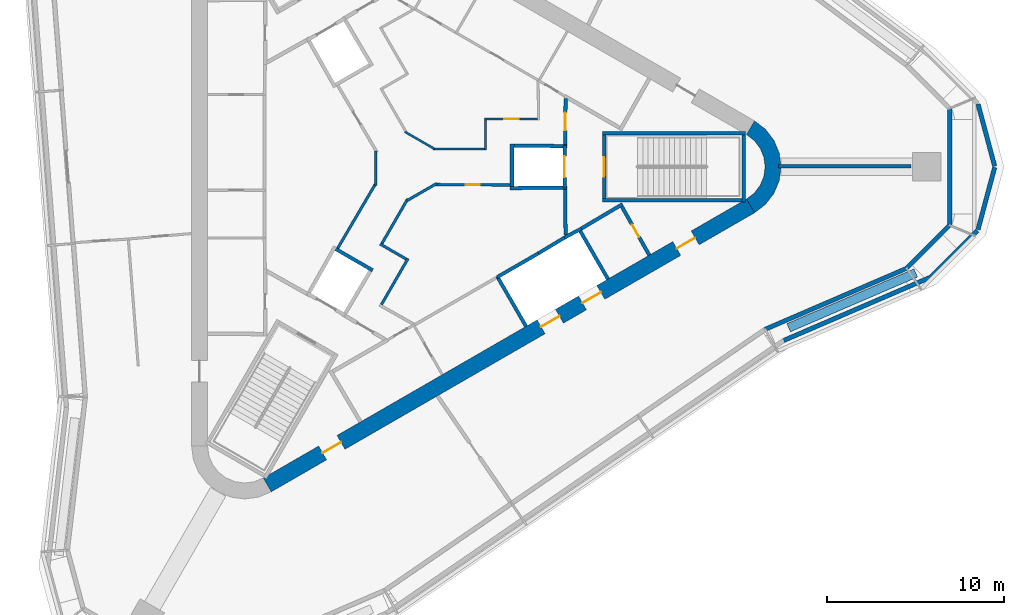
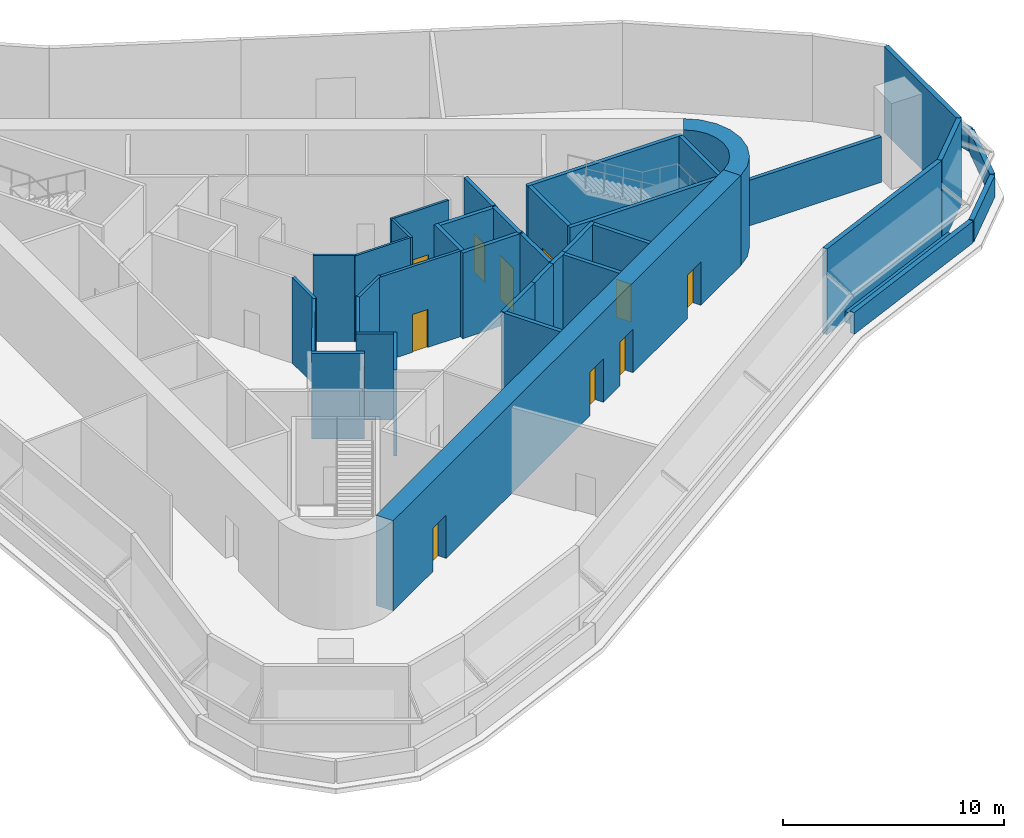
# One storey, part 5 of 8: 40 walls, 10 doors, 10 openings.
"""IFC4 building model written with IfcOpenShell, lengths in metres."""

from ifc_helpers import new_model, si_unit, direction, frame, frame_2d, origin, place, context, subcontext, project, spatial, polyline, rectangle, outline, extrude, material, layer, layer_set, type_object, element, fill, save


model = new_model("IFC4")

# Units and contexts
model_context = context("Model", 3, precision=1e-05, world=origin(), true_north=direction((0.0, 1.0)))
body_context = subcontext(model_context, "Body", "Model", "MODEL_VIEW")
ifc_project = project(units=[si_unit("LENGTHUNIT", "METRE"), si_unit("AREAUNIT", "SQUARE_METRE"), si_unit("VOLUMEUNIT", "CUBIC_METRE"), si_unit("PLANEANGLEUNIT", "RADIAN"), si_unit("MASSUNIT", "GRAM", prefix="KILO")], contexts=[model_context])

# Site, building, storey
site_placement = place(None, origin())
site = spatial("IfcSite", under=ifc_project, at=site_placement, CompositionType="ELEMENT")
building_placement = place(site_placement, origin())
building = spatial("IfcBuilding", under=site, at=building_placement, Name="Tanit Gate Tower", CompositionType="ELEMENT")
storey_placement = place(building_placement, frame((0.0, 0.0, 410.300048828125)))
storey = spatial("IfcBuildingStorey", under=building, at=storey_placement, Name="L93", CompositionType="ELEMENT", Elevation=410.300048828125)

# Wall, openings, doors
ifc_material_1 = material(Name="Concrete C40/50", Category="concrete")
ifc_layer_1 = layer(ifc_material_1, 0.89990234375)
ifc_layer_set_1 = layer_set([ifc_layer_1], Name="CORE WALL 900 C40/50")
wall_type_1 = type_object("IfcWallType", Name="CORE WALL 900 C40/50", PredefinedType="SHEAR", material=ifc_layer_set_1)
wall_1_placement = place(storey_placement, frame((-7.824951171875, -17.969970703125, 0.0), z_axis=(0.0, 0.0, 1.0), x_axis=(0.866028369851, 0.499994862586, 0.0)))
wall_1 = element("IfcWall", 1, at=wall_1_placement, inside=storey, type_object=wall_type_1, Name="CORE WALL", PredefinedType="SHEAR", context=body_context, shape_type="SweptSolid", body=[
    extrude(rectangle(XDim=31.523193359375, YDim=0.89990234375, at=frame_2d((15.76171875, 0.0))), origin(), (0.0, 0.0, 1.0), 5.0),
])
opening_1_placement = place(wall_1_placement, frame((17.861572265625, 0.0, 0.0)))
opening_1 = element("IfcOpeningElement", 2, at=opening_1_placement, cuts=wall_1, Name="Opening LDSV1-93", PredefinedType="OPENING", context=body_context, shape_type="SweptSolid", body=[
    extrude(rectangle(XDim=1.199951171875, YDim=2.39990234375, at=frame_2d((0.60009765625, 1.199951171875))), frame((0.0, 0.4599609375, 0.0), z_axis=(0.0, -1.0, 0.0), x_axis=(1.0, 0.0, 0.0)), (0.0, 0.0, 1.0), 0.919921875),
])
opening_2_placement = place(wall_1_placement, frame((20.561767578125, 0.0, 0.0)))
opening_2 = element("IfcOpeningElement", 3, at=opening_2_placement, cuts=wall_1, Name="Opening LDSV2-93", PredefinedType="OPENING", context=body_context, shape_type="SweptSolid", body=[
    extrude(rectangle(XDim=1.199951171875, YDim=2.39990234375, at=frame_2d((0.60009765625, 1.199951171875))), frame((0.0, 0.4599609375, 0.0), z_axis=(0.0, -1.0, 0.0), x_axis=(1.0, 0.0, 0.0)), (0.0, 0.0, 1.0), 0.919921875),
])
opening_3_placement = place(wall_1_placement, frame((26.711669921875, 0.0, 0.0)))
opening_3 = element("IfcOpeningElement", 4, at=opening_3_placement, cuts=wall_1, Name="Opening F12-93-S1", PredefinedType="OPENING", context=body_context, shape_type="SweptSolid", body=[
    extrude(rectangle(XDim=1.199951171875, YDim=2.39990234375, at=frame_2d((0.60009765625, 1.199951171875))), frame((0.0, 0.4599609375, 0.0), z_axis=(0.0, -1.0, 0.0), x_axis=(1.0, 0.0, 0.0)), (0.0, 0.0, 1.0), 0.919921875),
])
opening_4_placement = place(wall_1_placement, frame((3.611572265625, 0.0, 0.0)))
opening_4 = element("IfcOpeningElement", 5, at=opening_4_placement, cuts=wall_1, Name="Opening F12-93-FL3", PredefinedType="OPENING", context=body_context, shape_type="SweptSolid", body=[
    extrude(rectangle(XDim=1.199951171875, YDim=2.39990234375, at=frame_2d((0.60009765625, 1.199951171875))), frame((0.0, 0.4599609375, 0.0), z_axis=(0.0, -1.0, 0.0), x_axis=(1.0, 0.0, 0.0)), (0.0, 0.0, 1.0), 0.919921875),
])
ifc_material_2 = material(Name="Fire-rated steel door leaf", Category="steel")
door_type_1 = type_object("IfcDoorType", Name="INT-DOOR-FIRE-LOBBY-1200", OperationType="NOTDEFINED", PredefinedType="USERDEFINED", material=ifc_material_2)
door_1_placement = place(opening_3_placement, origin())
door_1 = element("IfcDoor", 6, at=door_1_placement, inside=storey, type_object=door_type_1, Name="Door F12-93-S1", ObjectType="FIRE DOOR", OperationType="SINGLE_SWING_RIGHT", OverallHeight=2.39990234375, OverallWidth=1.199951171875, PredefinedType="USERDEFINED", context=body_context, shape_type="SweptSolid", body=[
    extrude(rectangle(XDim=1.199951171875, YDim=2.39990234375, at=frame_2d((0.60009765625, 1.199951171875))), frame((0.0, 0.02490234375, 0.0), z_axis=(0.0, -1.0, 0.0), x_axis=(1.0, 0.0, 0.0)), (0.0, 0.0, 1.0), 0.050048828125),
])
fill(opening_3, door_1)
door_2_placement = place(opening_4_placement, origin())
door_2 = element("IfcDoor", 7, at=door_2_placement, inside=storey, type_object=door_type_1, Name="Door F12-93-FL3", ObjectType="FIRE DOOR", OperationType="SINGLE_SWING_RIGHT", OverallHeight=2.39990234375, OverallWidth=1.199951171875, PredefinedType="USERDEFINED", context=body_context, shape_type="SweptSolid", body=[
    extrude(rectangle(XDim=1.199951171875, YDim=2.39990234375, at=frame_2d((0.60009765625, 1.199951171875))), frame((0.0, 0.02490234375, 0.0), z_axis=(0.0, -1.0, 0.0), x_axis=(1.0, 0.0, 0.0)), (0.0, 0.0, 1.0), 0.050048828125),
])
fill(opening_4, door_2)
ifc_material_3 = material(Name="Stainless steel sliding door leaf", Category="steel")
door_type_2 = type_object("IfcDoorType", Name="INT-DOOR-LANDING-1200", OperationType="NOTDEFINED", PredefinedType="USERDEFINED", material=ifc_material_3)
door_3_placement = place(opening_1_placement, origin())
door_3 = element("IfcDoor", 8, at=door_3_placement, inside=storey, type_object=door_type_2, Name="Door LDSV1-93", ObjectType="LANDING DOOR", OperationType="SLIDING_TO_LEFT", OverallHeight=2.39990234375, OverallWidth=1.199951171875, PredefinedType="USERDEFINED", context=body_context, shape_type="SweptSolid", body=[
    extrude(rectangle(XDim=1.199951171875, YDim=2.39990234375, at=frame_2d((0.60009765625, 1.199951171875))), frame((0.0, 0.02490234375, 0.0), z_axis=(0.0, -1.0, 0.0), x_axis=(1.0, 0.0, 0.0)), (0.0, 0.0, 1.0), 0.050048828125),
])
fill(opening_1, door_3)
door_4_placement = place(opening_2_placement, origin())
door_4 = element("IfcDoor", 9, at=door_4_placement, inside=storey, type_object=door_type_2, Name="Door LDSV2-93", ObjectType="LANDING DOOR", OperationType="SLIDING_TO_LEFT", OverallHeight=2.39990234375, OverallWidth=1.199951171875, PredefinedType="USERDEFINED", context=body_context, shape_type="SweptSolid", body=[
    extrude(rectangle(XDim=1.199951171875, YDim=2.39990234375, at=frame_2d((0.60009765625, 1.199951171875))), frame((0.0, 0.02490234375, 0.0), z_axis=(0.0, -1.0, 0.0), x_axis=(1.0, 0.0, 0.0)), (0.0, 0.0, 1.0), 0.050048828125),
])
fill(opening_2, door_4)

# Walls
wall_2_placement = place(storey_placement, origin())
element("IfcWall", 10, at=wall_2_placement, inside=storey, type_object=wall_type_1, Name="CORE WALL CORNER", PredefinedType="SHEAR", context=body_context, shape_type="SweptSolid", body=[
    extrude(outline(polyline([(19.699951171875, -2.59814453125), (20.3212890625, -2.121337890625), (20.798095703125, -1.5), (21.097900390625, -0.776611328125), (21.199951171875, 0.0), (21.097900390625, 0.776611328125), (20.798095703125, 1.5), (20.3212890625, 2.121337890625), (19.699951171875, 2.59814453125), (19.25, 1.818603515625), (19.684814453125, 1.48486328125), (20.018798828125, 1.050048828125), (20.228515625, 0.54345703125), (20.300048828125, 0.0), (20.228515625, -0.54345703125), (20.018798828125, -1.050048828125), (19.684814453125, -1.48486328125), (19.25, -1.818603515625), (19.699951171875, -2.59814453125)])), origin(), (0.0, 0.0, 1.0), 5.0),
])
ifc_material_4 = material(Name="Concrete C30/37 with bronze anodised aluminium cladding", Category="concrete")
ifc_layer_2 = layer(ifc_material_4, 0.239990234375)
ifc_layer_set_2 = layer_set([ifc_layer_2], Name="Facade wall bronze clad 240")
wall_type_2 = type_object("IfcWallType", Name="Facade wall bronze clad 240", PredefinedType="SOLIDWALL", material=ifc_layer_set_2)
wall_3_placement = place(storey_placement, frame((20.303466796875, -9.1767578125, 0.0), z_axis=(0.0, 0.0, 1.0), x_axis=(0.918310734182, 0.395860323203, 0.0)))
element("IfcWall", 11, at=wall_3_placement, inside=storey, type_object=wall_type_2, Name="Bronze-clad facade wall L93 SE3", PredefinedType="SOLIDWALL", context=body_context, shape_type="SweptSolid", body=[
    extrude(rectangle(XDim=8.70947265625, YDim=0.239990234375, at=frame_2d((4.354736328125, 0.0))), origin(), (0.0, 0.0, 1.0), 4.75),
])
wall_4_placement = place(storey_placement, frame((28.301513671875, -5.72900390625, 0.0), z_axis=(0.0, 0.0, 1.0), x_axis=(0.707071188265, 0.707142372317, 0.0)))
element("IfcWall", 12, at=wall_4_placement, inside=storey, type_object=wall_type_2, Name="Bronze-clad facade wall L93 E.arc1", PredefinedType="SOLIDWALL", context=body_context, shape_type="SweptSolid", body=[
    extrude(rectangle(XDim=3.4296875, YDim=0.239990234375, at=frame_2d((1.71484375, 0.0))), origin(), (0.0, 0.0, 1.0), 4.75),
])
wall_5_placement = place(storey_placement, frame((30.7265625, -3.3037109375, 0.0), z_axis=(0.0, 0.0, 1.0), x_axis=(0.0, 1.0, 0.0)))
element("IfcWall", 13, at=wall_5_placement, inside=storey, type_object=wall_type_2, Name="Bronze-clad facade wall L93 E.arc2", PredefinedType="SOLIDWALL", context=body_context, shape_type="SweptSolid", body=[
    extrude(rectangle(XDim=6.607421875, YDim=0.239990234375, at=frame_2d((3.3037109375, 0.0))), origin(), (0.0, 0.0, 1.0), 4.75),
])
ifc_material_5 = material(Name="Fire-rated gypsum board partition")
ifc_layer_3 = layer(ifc_material_5, 0.199951171875)
ifc_layer_set_3 = layer_set([ifc_layer_3], Name="INT-WALL-COMPARTMENT")
wall_type_3 = type_object("IfcWallType", Name="INT-WALL-COMPARTMENT", PredefinedType="PARTITIONING", material=ifc_layer_set_3)
wall_6_placement = place(storey_placement, frame((12.244873046875, -2.10888671875, 0.0), z_axis=(0.0, 0.0, 1.0), x_axis=(-0.860414880418, -0.509594185166, 0.0)))
element("IfcWall", 14, at=wall_6_placement, inside=storey, type_object=wall_type_3, Name="Wall Compartment W060", PredefinedType="PARTITIONING", context=body_context, shape_type="SweptSolid", body=[
    extrude(rectangle(XDim=2.7001953125, YDim=0.199951171875, at=frame_2d((1.35009765625, 0.0))), origin(), (0.0, 0.0, 1.0), 4.75),
])

# Wall, opening, door
wall_7_placement = place(storey_placement, frame((13.758056640625, -4.989501953125, 0.0), z_axis=(0.0, 0.0, 1.0), x_axis=(-0.491993409184, 0.87059892334, 0.0)))
wall_7 = element("IfcWall", 15, at=wall_7_placement, inside=storey, type_object=wall_type_3, Name="Wall Compartment W061", PredefinedType="PARTITIONING", context=body_context, shape_type="SweptSolid", body=[
    extrude(rectangle(XDim=3.150146484375, YDim=0.199951171875, at=frame_2d((1.5751953125, 0.0))), origin(), (0.0, 0.0, 1.0), 4.75),
])
opening_5_placement = place(wall_7_placement, frame((1.175048828125, 0.0, 0.0)))
opening_5 = element("IfcOpeningElement", 16, at=opening_5_placement, cuts=wall_7, Name="Opening R08-93-23", PredefinedType="OPENING", context=body_context, shape_type="SweptSolid", body=[
    extrude(rectangle(XDim=0.800048828125, YDim=2.10009765625, at=frame_2d((0.39990234375, 1.050048828125))), frame((0.0, 0.10986328125, 0.0), z_axis=(0.0, -1.0, 0.0), x_axis=(1.0, 0.0, 0.0)), (0.0, 0.0, 1.0), 0.219970703125),
])
ifc_material_6 = material(Name="Timber door leaf", Category="wood")
door_type_3 = type_object("IfcDoorType", Name="INT-DOOR-RISER-800", OperationType="NOTDEFINED", PredefinedType="USERDEFINED", material=ifc_material_6)
door_5_placement = place(opening_5_placement, origin())
door_5 = element("IfcDoor", 17, at=door_5_placement, inside=storey, type_object=door_type_3, Name="Door R08-93-23", ObjectType="FIRE DOOR", OperationType="SINGLE_SWING_RIGHT", OverallHeight=2.10009765625, OverallWidth=0.800048828125, PredefinedType="USERDEFINED", context=body_context, shape_type="SweptSolid", body=[
    extrude(rectangle(XDim=0.800048828125, YDim=2.10009765625, at=frame_2d((0.39990234375, 1.050048828125))), frame((0.0, 0.02490234375, 0.0), z_axis=(0.0, -1.0, 0.0), x_axis=(1.0, 0.0, 0.0)), (0.0, 0.0, 1.0), 0.050048828125),
])
fill(opening_5, door_5)

# Wall
wall_8_placement = place(storey_placement, frame((9.02880859375, -3.8505859375, 0.0), z_axis=(0.0, 0.0, 1.0), x_axis=(-0.010784614026, 0.999941844359, 0.0)))
element("IfcWall", 18, at=wall_8_placement, inside=storey, type_object=wall_type_3, Name="Wall Compartment W062", PredefinedType="PARTITIONING", context=body_context, shape_type="SweptSolid", body=[
    extrude(rectangle(XDim=2.580810546875, YDim=0.199951171875, at=frame_2d((1.29052734375, 0.0))), origin(), (0.0, 0.0, 1.0), 4.75),
])

# Wall, opening, door
wall_9_placement = place(storey_placement, frame((9.0009765625, 1.27001953125, 0.0), z_axis=(0.0, 0.0, 1.0), x_axis=(0.010780534828, 0.999941888346, 0.0)))
wall_9 = element("IfcWall", 19, at=wall_9_placement, inside=storey, type_object=wall_type_3, Name="Wall Compartment W063", PredefinedType="PARTITIONING", context=body_context, shape_type="SweptSolid", body=[
    extrude(rectangle(XDim=2.581787109375, YDim=0.199951171875, at=frame_2d((1.291015625, 0.0))), origin(), (0.0, 0.0, 1.0), 4.75),
])
opening_6_placement = place(wall_9_placement, frame((0.791015625, 0.0, 0.0)))
opening_6 = element("IfcOpeningElement", 20, at=opening_6_placement, cuts=wall_9, Name="Opening F10-93-02", PredefinedType="OPENING", context=body_context, shape_type="SweptSolid", body=[
    extrude(rectangle(XDim=1.0, YDim=2.10009765625, at=frame_2d((0.5, 1.050048828125))), frame((0.0, 0.10986328125, 0.0), z_axis=(0.0, -1.0, 0.0), x_axis=(1.0, 0.0, 0.0)), (0.0, 0.0, 1.0), 0.219970703125),
])
ifc_material_7 = material(Name="Fire-rated steel door leaf", Category="steel")
door_type_4 = type_object("IfcDoorType", Name="INT-DOOR-FIRE-1000", OperationType="NOTDEFINED", PredefinedType="USERDEFINED", material=ifc_material_7)
door_6_placement = place(opening_6_placement, origin())
door_6 = element("IfcDoor", 21, at=door_6_placement, inside=storey, type_object=door_type_4, Name="Door F10-93-02", ObjectType="FIRE DOOR", OperationType="SINGLE_SWING_RIGHT", OverallHeight=2.10009765625, OverallWidth=1.0, PredefinedType="USERDEFINED", context=body_context, shape_type="SweptSolid", body=[
    extrude(rectangle(XDim=1.0, YDim=2.10009765625, at=frame_2d((0.5, 1.050048828125))), frame((0.0, 0.02490234375, 0.0), z_axis=(0.0, -1.0, 0.0), x_axis=(1.0, 0.0, 0.0)), (0.0, 0.0, 1.0), 0.050048828125),
])
fill(opening_6, door_6)

# Wall
wall_10_placement = place(storey_placement, frame((28.5361328125, 0.030029296875, 0.0), z_axis=(0.0, 0.0, 1.0), x_axis=(-1.0, 0.0, 0.0)))
element("IfcWall", 22, at=wall_10_placement, inside=storey, type_object=wall_type_3, Name="Wall Compartment W092", PredefinedType="PARTITIONING", context=body_context, shape_type="SweptSolid", body=[
    extrude(rectangle(XDim=7.489990234375, YDim=0.199951171875, at=frame_2d((3.7451171875, 0.0))), origin(), (0.0, 0.0, 1.0), 2.52001953125),
])

# Wall, opening, door
ifc_material_8 = material(Name="Gypsum board partition")
ifc_layer_4 = layer(ifc_material_8, 0.1201171875)
ifc_layer_set_4 = layer_set([ifc_layer_4], Name="INT-WALL-PARTITION")
wall_type_4 = type_object("IfcWallType", Name="INT-WALL-PARTITION", PredefinedType="PARTITIONING", material=ifc_layer_set_4)
wall_11_placement = place(storey_placement, frame((4.43994140625, 2.699951171875, 0.0), z_axis=(0.0, 0.0, 1.0), x_axis=(1.0, 0.0, 0.0)))
wall_11 = element("IfcWall", 23, at=wall_11_placement, inside=storey, type_object=wall_type_4, Name="Wall Partition W078", PredefinedType="PARTITIONING", context=body_context, shape_type="SweptSolid", body=[
    extrude(rectangle(XDim=3.0, YDim=0.1201171875, at=frame_2d((1.5, 0.0))), origin(), (0.0, 0.0, 1.0), 4.75),
])
opening_7_placement = place(wall_11_placement, frame((1.1298828125, 0.0, 0.0)))
opening_7 = element("IfcOpeningElement", 24, at=opening_7_placement, cuts=wall_11, Name="Opening R08-93-12", PredefinedType="OPENING", context=body_context, shape_type="SweptSolid", body=[
    extrude(rectangle(XDim=0.800048828125, YDim=2.10009765625, at=frame_2d((0.39990234375, 1.050048828125))), frame((0.0, 0.070068359375, 0.0), z_axis=(0.0, -1.0, 0.0), x_axis=(1.0, 0.0, 0.0)), (0.0, 0.0, 1.0), 0.14013671875),
])
door_7_placement = place(opening_7_placement, origin())
door_7 = element("IfcDoor", 25, at=door_7_placement, inside=storey, type_object=door_type_3, Name="Door R08-93-12", ObjectType="FIRE DOOR", OperationType="SINGLE_SWING_RIGHT", OverallHeight=2.10009765625, OverallWidth=0.800048828125, PredefinedType="USERDEFINED", context=body_context, shape_type="SweptSolid", body=[
    extrude(rectangle(XDim=0.800048828125, YDim=2.10009765625, at=frame_2d((0.39990234375, 1.050048828125))), frame((0.0, 0.02490234375, 0.0), z_axis=(0.0, -1.0, 0.0), x_axis=(1.0, 0.0, 0.0)), (0.0, 0.0, 1.0), 0.050048828125),
])
fill(opening_7, door_7)

# Walls
wall_12_placement = place(storey_placement, frame((4.5, 0.93994140625, 0.0), z_axis=(0.0, 0.0, 1.0), x_axis=(0.0, 1.0, 0.0)))
element("IfcWall", 26, at=wall_12_placement, inside=storey, type_object=wall_type_4, Name="Wall Partition W079", PredefinedType="PARTITIONING", context=body_context, shape_type="SweptSolid", body=[
    extrude(rectangle(XDim=1.699951171875, YDim=0.1201171875, at=frame_2d((0.85009765625, 0.0))), origin(), (0.0, 0.0, 1.0), 4.75),
])
wall_13_placement = place(storey_placement, frame((1.54150390625, 1.0, 0.0), z_axis=(0.0, 0.0, 1.0), x_axis=(1.0, 0.0, 0.0)))
element("IfcWall", 27, at=wall_13_placement, inside=storey, type_object=wall_type_4, Name="Wall Partition W080", PredefinedType="PARTITIONING", context=body_context, shape_type="SweptSolid", body=[
    extrude(rectangle(XDim=2.8984375, YDim=0.1201171875, at=frame_2d((1.44921875, 0.0))), origin(), (0.0, 0.0, 1.0), 4.75),
])
wall_14_placement = place(storey_placement, frame((-0.046630859375, 1.97705078125, 0.0), z_axis=(0.0, 0.0, 1.0), x_axis=(0.865998615205, -0.500046396311, 0.0)))
element("IfcWall", 28, at=wall_14_placement, inside=storey, type_object=wall_type_4, Name="Wall Partition W081", PredefinedType="PARTITIONING", context=body_context, shape_type="SweptSolid", body=[
    extrude(rectangle(XDim=1.935302734375, YDim=0.1201171875, at=frame_2d((0.9677734375, 0.0))), origin(), (0.0, 0.0, 1.0), 4.75),
])
ifc_material_9 = material(Name="Fire-rated gypsum board partition")
ifc_layer_5 = layer(ifc_material_9, 0.14990234375)
ifc_layer_set_5 = layer_set([ifc_layer_5], Name="INT-WALL-RISER")
wall_type_5 = type_object("IfcWallType", Name="INT-WALL-RISER", PredefinedType="PLUMBINGWALL", material=ifc_layer_set_5)
wall_15_placement = place(storey_placement, frame((-1.688720703125, -1.052978515625, 0.0), z_axis=(0.0, 0.0, 1.0), x_axis=(0.0, 1.0, 0.0)))
element("IfcWall", 29, at=wall_15_placement, inside=storey, type_object=wall_type_5, Name="Wall Riser W069", PredefinedType="PLUMBINGWALL", context=body_context, shape_type="SweptSolid", body=[
    extrude(rectangle(XDim=1.954345703125, YDim=0.14990234375, at=frame_2d((0.97705078125, 0.0))), origin(), (0.0, 0.0, 1.0), 4.75),
])
wall_16_placement = place(storey_placement, frame((-3.841064453125, -4.59521484375, 0.0), z_axis=(0.0, 0.0, 1.0), x_axis=(0.505857207696, 0.862617229959, 0.0)))
element("IfcWall", 30, at=wall_16_placement, inside=storey, type_object=wall_type_5, Name="Wall Riser W070", PredefinedType="PLUMBINGWALL", context=body_context, shape_type="SweptSolid", body=[
    extrude(rectangle(XDim=4.231201171875, YDim=0.14990234375, at=frame_2d((2.11572265625, 0.0))), origin(), (0.0, 0.0, 1.0), 4.75),
])
wall_17_placement = place(storey_placement, frame((0.125732421875, -5.18212890625, 0.0), z_axis=(0.0, 0.0, 1.0), x_axis=(-0.499990139034, -0.866031096941, 0.0)))
element("IfcWall", 31, at=wall_17_placement, inside=storey, type_object=wall_type_5, Name="Wall Riser W072", PredefinedType="PLUMBINGWALL", context=body_context, shape_type="SweptSolid", body=[
    extrude(rectangle(XDim=3.0, YDim=0.14990234375, at=frame_2d((1.5, 0.0))), origin(), (0.0, 0.0, 1.0), 4.75),
])
wall_18_placement = place(storey_placement, frame((-1.448974609375, -4.359619140625, 0.0), z_axis=(0.0, 0.0, 1.0), x_axis=(0.866025371046, -0.500000056704, 0.0)))
element("IfcWall", 32, at=wall_18_placement, inside=storey, type_object=wall_type_5, Name="Wall Riser W073", PredefinedType="PLUMBINGWALL", context=body_context, shape_type="SweptSolid", body=[
    extrude(rectangle(XDim=1.7001953125, YDim=0.14990234375, at=frame_2d((0.85009765625, 0.0))), origin(), (0.0, 0.0, 1.0), 4.75),
])
wall_19_placement = place(storey_placement, frame((0.108154296875, -1.8125, 0.0), z_axis=(0.0, 0.0, 1.0), x_axis=(-0.49994762993, -0.866055637547, 0.0)))
element("IfcWall", 33, at=wall_19_placement, inside=storey, type_object=wall_type_5, Name="Wall Riser W074", PredefinedType="PLUMBINGWALL", context=body_context, shape_type="SweptSolid", body=[
    extrude(rectangle(XDim=2.909423828125, YDim=0.14990234375, at=frame_2d((1.45458984375, 0.0))), origin(), (0.0, 0.0, 1.0), 4.75),
])
wall_20_placement = place(storey_placement, frame((1.756103515625, -0.93603515625, 0.0), z_axis=(0.0, 0.0, 1.0), x_axis=(-0.86601293162, -0.5000216018, 0.0)))
element("IfcWall", 34, at=wall_20_placement, inside=storey, type_object=wall_type_5, Name="Wall Riser W075", PredefinedType="PLUMBINGWALL", context=body_context, shape_type="SweptSolid", body=[
    extrude(rectangle(XDim=1.95458984375, YDim=0.14990234375, at=frame_2d((0.977294921875, 0.0))), origin(), (0.0, 0.0, 1.0), 4.75),
])

# Wall, opening, door
wall_21_placement = place(storey_placement, frame((5.89990234375, -1.02880859375, 0.0), z_axis=(0.0, 0.0, 1.0), x_axis=(-0.999977210765, 0.00675114447, 0.0)))
wall_21 = element("IfcWall", 35, at=wall_21_placement, inside=storey, type_object=wall_type_5, Name="Wall Riser W076", PredefinedType="PLUMBINGWALL", context=body_context, shape_type="SweptSolid", body=[
    extrude(rectangle(XDim=4.23095703125, YDim=0.14990234375, at=frame_2d((2.115478515625, 0.0))), origin(), (0.0, 0.0, 1.0), 4.75),
])
opening_8_placement = place(wall_21_placement, frame((1.715576171875, 0.0, 0.0)))
opening_8 = element("IfcOpeningElement", 36, at=opening_8_placement, cuts=wall_21, Name="Opening R08-93-11", PredefinedType="OPENING", context=body_context, shape_type="SweptSolid", body=[
    extrude(rectangle(XDim=0.800048828125, YDim=2.10009765625, at=frame_2d((0.39990234375, 1.050048828125))), frame((0.0, 0.0849609375, 0.0), z_axis=(0.0, -1.0, 0.0), x_axis=(1.0, 0.0, 0.0)), (0.0, 0.0, 1.0), 0.169921875),
])
door_8_placement = place(opening_8_placement, origin())
door_8 = element("IfcDoor", 37, at=door_8_placement, inside=storey, type_object=door_type_3, Name="Door R08-93-11", ObjectType="FIRE DOOR", OperationType="SINGLE_SWING_RIGHT", OverallHeight=2.10009765625, OverallWidth=0.800048828125, PredefinedType="USERDEFINED", context=body_context, shape_type="SweptSolid", body=[
    extrude(rectangle(XDim=0.800048828125, YDim=2.10009765625, at=frame_2d((0.39990234375, 1.050048828125))), frame((0.0, 0.02490234375, 0.0), z_axis=(0.0, -1.0, 0.0), x_axis=(1.0, 0.0, 0.0)), (0.0, 0.0, 1.0), 0.050048828125),
])
fill(opening_8, door_8)

# Walls
ifc_material_10 = material(Name="Gypsum shaft wall system")
ifc_layer_6 = layer(ifc_material_10, 0.199951171875)
ifc_layer_set_6 = layer_set([ifc_layer_6], Name="INT-WALL-SHAFT")
wall_type_6 = type_object("IfcWallType", Name="INT-WALL-SHAFT", PredefinedType="PLUMBINGWALL", material=ifc_layer_set_6)
wall_22_placement = place(storey_placement, frame((6.795166015625, -9.009521484375, 0.0), z_axis=(0.0, 0.0, 1.0), x_axis=(-0.499984717929, 0.866034226713, 0.0)))
element("IfcWall", 38, at=wall_22_placement, inside=storey, type_object=wall_type_6, Name="Wall Shaft W001", PredefinedType="PLUMBINGWALL", context=body_context, shape_type="SweptSolid", body=[
    extrude(rectangle(XDim=3.25, YDim=0.199951171875, at=frame_2d((1.625, 0.0))), origin(), (0.0, 0.0, 1.0), 4.75),
])
wall_23_placement = place(storey_placement, frame((5.1591796875, -6.23583984375, 0.0), z_axis=(0.0, 0.0, 1.0), x_axis=(0.866036505625, 0.499980770555, 0.0)))
element("IfcWall", 39, at=wall_23_placement, inside=storey, type_object=wall_type_6, Name="Wall Shaft W002", PredefinedType="PLUMBINGWALL", context=body_context, shape_type="SweptSolid", body=[
    extrude(rectangle(XDim=2.69970703125, YDim=0.199951171875, at=frame_2d((1.349853515625, 0.0))), origin(), (0.0, 0.0, 1.0), 4.75),
])
wall_24_placement = place(storey_placement, frame((9.794677734375, -3.52490234375, 0.0), z_axis=(0.0, 0.0, 1.0), x_axis=(0.499984717929, -0.866034226713, 0.0)))
element("IfcWall", 40, at=wall_24_placement, inside=storey, type_object=wall_type_6, Name="Wall Shaft W003", PredefinedType="PLUMBINGWALL", context=body_context, shape_type="SweptSolid", body=[
    extrude(rectangle(XDim=3.25, YDim=0.199951171875, at=frame_2d((1.625, 0.0))), origin(), (0.0, 0.0, 1.0), 4.75),
])
wall_25_placement = place(storey_placement, frame((8.97412109375, -3.998779296875, 0.0), z_axis=(0.0, 0.0, 1.0), x_axis=(0.880907015104, 0.473289373154, 0.0)))
element("IfcWall", 41, at=wall_25_placement, inside=storey, type_object=wall_type_6, Name="Wall Shaft W004", PredefinedType="PLUMBINGWALL", context=body_context, shape_type="SweptSolid", body=[
    extrude(rectangle(XDim=1.078125, YDim=0.199951171875, at=frame_2d((0.5390625, 0.0))), origin(), (0.0, 0.0, 1.0), 4.75),
])
wall_26_placement = place(storey_placement, frame((7.497314453125, -4.885986328125, 0.0), z_axis=(0.0, 0.0, 1.0), x_axis=(0.857516281273, 0.51445682749, 0.0)))
element("IfcWall", 42, at=wall_26_placement, inside=storey, type_object=wall_type_6, Name="Wall Shaft W005", PredefinedType="PLUMBINGWALL", context=body_context, shape_type="SweptSolid", body=[
    extrude(rectangle(XDim=1.8447265625, YDim=0.199951171875, at=frame_2d((0.92236328125, 0.0))), origin(), (0.0, 0.0, 1.0), 4.75),
])

# Wall, opening, door
wall_27_placement = place(storey_placement, frame((8.969970703125, 1.199951171875, 0.0), z_axis=(0.0, 0.0, 1.0), x_axis=(0.0, -1.0, 0.0)))
wall_27 = element("IfcWall", 43, at=wall_27_placement, inside=storey, type_object=wall_type_6, Name="Wall Shaft W010", PredefinedType="PLUMBINGWALL", context=body_context, shape_type="SweptSolid", body=[
    extrude(rectangle(XDim=2.39990234375, YDim=0.199951171875, at=frame_2d((1.199951171875, 0.0))), origin(), (0.0, 0.0, 1.0), 4.75),
])
opening_9_placement = place(wall_27_placement, frame((0.60009765625, 0.0, 0.0)))
opening_9 = element("IfcOpeningElement", 44, at=opening_9_placement, cuts=wall_27, Name="Opening LDFL1-L93", PredefinedType="OPENING", context=body_context, shape_type="SweptSolid", body=[
    extrude(rectangle(XDim=1.199951171875, YDim=2.39990234375, at=frame_2d((0.60009765625, 1.199951171875))), frame((0.0, 0.10986328125, 0.0), z_axis=(0.0, -1.0, 0.0), x_axis=(1.0, 0.0, 0.0)), (0.0, 0.0, 1.0), 0.219970703125),
])
door_9_placement = place(opening_9_placement, origin())
door_9 = element("IfcDoor", 45, at=door_9_placement, inside=storey, type_object=door_type_2, Name="Door LDFL1-L93", ObjectType="LANDING DOOR", OperationType="SLIDING_TO_LEFT", OverallHeight=2.39990234375, OverallWidth=1.199951171875, PredefinedType="USERDEFINED", context=body_context, shape_type="SweptSolid", body=[
    extrude(rectangle(XDim=1.199951171875, YDim=2.39990234375, at=frame_2d((0.60009765625, 1.199951171875))), frame((0.0, 0.02490234375, 0.0), z_axis=(0.0, -1.0, 0.0), x_axis=(1.0, 0.0, 0.0)), (0.0, 0.0, 1.0), 0.050048828125),
])
fill(opening_9, door_9)

# Walls
wall_28_placement = place(storey_placement, frame((9.10009765625, -1.1689453125, 0.0), z_axis=(0.0, 0.0, 1.0), x_axis=(-0.999950064753, -0.009993397809, 0.0)))
element("IfcWall", 46, at=wall_28_placement, inside=storey, type_object=wall_type_6, Name="Wall Shaft W011", PredefinedType="PLUMBINGWALL", context=body_context, shape_type="SweptSolid", body=[
    extrude(rectangle(XDim=3.200439453125, YDim=0.199951171875, at=frame_2d((1.60009765625, 0.0))), origin(), (0.0, 0.0, 1.0), 4.75),
])
wall_29_placement = place(storey_placement, frame((6.0, -1.10009765625, 0.0), z_axis=(0.0, 0.0, 1.0), x_axis=(0.0, 1.0, 0.0)))
element("IfcWall", 47, at=wall_29_placement, inside=storey, type_object=wall_type_6, Name="Wall Shaft W012", PredefinedType="PLUMBINGWALL", context=body_context, shape_type="SweptSolid", body=[
    extrude(rectangle(XDim=2.400146484375, YDim=0.199951171875, at=frame_2d((1.2001953125, 0.0))), origin(), (0.0, 0.0, 1.0), 4.75),
])
wall_30_placement = place(storey_placement, frame((9.10009765625, 1.1689453125, 0.0), z_axis=(0.0, 0.0, 1.0), x_axis=(-0.99994990606, 0.010009264196, 0.0)))
element("IfcWall", 48, at=wall_30_placement, inside=storey, type_object=wall_type_6, Name="Wall Shaft W014", PredefinedType="PLUMBINGWALL", context=body_context, shape_type="SweptSolid", body=[
    extrude(rectangle(XDim=3.000244140625, YDim=0.199951171875, at=frame_2d((1.5, 0.0))), origin(), (0.0, 0.0, 1.0), 4.75),
])
wall_31_placement = place(storey_placement, frame((-3.95263671875, -4.646240234375, 0.0), z_axis=(0.0, 0.0, 1.0), x_axis=(0.866024647952, -0.500001309137, 0.0)))
element("IfcWall", 49, at=wall_31_placement, inside=storey, type_object=wall_type_6, Name="Wall Shaft W030", PredefinedType="PLUMBINGWALL", context=body_context, shape_type="SweptSolid", body=[
    extrude(rectangle(XDim=2.39990234375, YDim=0.199951171875, at=frame_2d((1.199951171875, 0.0))), origin(), (0.0, 0.0, 1.0), 4.75),
])
ifc_material_11 = material(Name="Concrete C40/50", Category="concrete")
ifc_layer_7 = layer(ifc_material_11, 0.199951171875)
ifc_layer_set_7 = layer_set([ifc_layer_7], Name="INT-WALL-STAIR")
wall_type_7 = type_object("IfcWallType", Name="INT-WALL-STAIR", PredefinedType="SHEAR", material=ifc_layer_set_7)
wall_32_placement = place(storey_placement, frame((19.199951171875, 1.89990234375, -0.25), z_axis=(0.0, 0.0, 1.0), x_axis=(-1.0, 0.0, 0.0)))
element("IfcWall", 50, at=wall_32_placement, inside=storey, type_object=wall_type_7, Name="Wall Stair W006", PredefinedType="SHEAR", context=body_context, shape_type="SweptSolid", body=[
    extrude(rectangle(XDim=8.099853515625, YDim=0.199951171875, at=frame_2d((4.0498046875, 0.0))), origin(), (0.0, 0.0, 1.0), 5.0),
])
wall_33_placement = place(storey_placement, frame((19.10009765625, -2.0, -0.25), z_axis=(0.0, 0.0, 1.0), x_axis=(0.0, 1.0, 0.0)))
element("IfcWall", 51, at=wall_33_placement, inside=storey, type_object=wall_type_7, Name="Wall Stair W007", PredefinedType="SHEAR", context=body_context, shape_type="SweptSolid", body=[
    extrude(rectangle(XDim=3.800048828125, YDim=0.199951171875, at=frame_2d((1.89990234375, 0.0))), origin(), (0.0, 0.0, 1.0), 5.0),
])
wall_34_placement = place(storey_placement, frame((11.10009765625, -1.89990234375, -0.25), z_axis=(0.0, 0.0, 1.0), x_axis=(1.0, 0.0, 0.0)))
element("IfcWall", 52, at=wall_34_placement, inside=storey, type_object=wall_type_7, Name="Wall Stair W008", PredefinedType="SHEAR", context=body_context, shape_type="SweptSolid", body=[
    extrude(rectangle(XDim=7.89990234375, YDim=0.199951171875, at=frame_2d((3.949951171875, 0.0))), origin(), (0.0, 0.0, 1.0), 5.0),
])

# Wall, opening, door
wall_35_placement = place(storey_placement, frame((11.199951171875, -1.800048828125, -0.25), z_axis=(0.0, 0.0, 1.0), x_axis=(0.0, 1.0, 0.0)))
wall_35 = element("IfcWall", 53, at=wall_35_placement, inside=storey, type_object=wall_type_7, Name="Wall Stair W009", PredefinedType="SHEAR", context=body_context, shape_type="SweptSolid", body=[
    extrude(rectangle(XDim=3.60009765625, YDim=0.199951171875, at=frame_2d((1.800048828125, 0.0))), origin(), (0.0, 0.0, 1.0), 5.0),
])
opening_10_placement = place(wall_35_placement, frame((1.25, 0.0, 0.25)))
opening_10 = element("IfcOpeningElement", 54, at=opening_10_placement, cuts=wall_35, Name="Opening S11-93-01", PredefinedType="OPENING", context=body_context, shape_type="SweptSolid", body=[
    extrude(rectangle(XDim=1.10009765625, YDim=2.10009765625, at=frame_2d((0.550048828125, 1.050048828125))), frame((0.0, 0.10986328125, 0.0), z_axis=(0.0, -1.0, 0.0), x_axis=(1.0, 0.0, 0.0)), (0.0, 0.0, 1.0), 0.219970703125),
])
ifc_material_12 = material(Name="Timber door leaf", Category="wood")
door_type_5 = type_object("IfcDoorType", Name="INT-DOOR-STAIR-1100", OperationType="NOTDEFINED", PredefinedType="USERDEFINED", material=ifc_material_12)
door_10_placement = place(opening_10_placement, origin())
door_10 = element("IfcDoor", 55, at=door_10_placement, inside=storey, type_object=door_type_5, Name="Door S11-93-01", ObjectType="FIRE DOOR", OperationType="SINGLE_SWING_RIGHT", OverallHeight=2.10009765625, OverallWidth=1.10009765625, PredefinedType="USERDEFINED", context=body_context, shape_type="SweptSolid", body=[
    extrude(rectangle(XDim=1.10009765625, YDim=2.10009765625, at=frame_2d((0.550048828125, 1.050048828125))), frame((0.0, 0.02490234375, 0.0), z_axis=(0.0, -1.0, 0.0), x_axis=(1.0, 0.0, 0.0)), (0.0, 0.0, 1.0), 0.050048828125),
])
fill(opening_10, door_10)

# Walls
ifc_material_13 = material(Name="Concrete C30/37", Category="concrete")
ifc_layer_8 = layer(ifc_material_13, 0.25)
ifc_layer_set_8 = layer_set([ifc_layer_8], Name="Parapet wall 250")
wall_type_8 = type_object("IfcWallType", Name="Parapet wall 250", PredefinedType="PARAPET", material=ifc_layer_set_8)
for number, where, z_axis, x_axis, name in (
    (56, (32.328125, 3.544921875, 0.0400390625), (0.0, 0.0, 1.0), (0.258882622414, -0.965908788557, 0.0), "Terrace parapet L93 2"),
    (57, (33.26953125, -0.032470703125, 0.0400390625), (0.0, 0.0, 1.0), (-0.258882622414, -0.965908788557, 0.0), "Terrace parapet L93 3"),
):
    element("IfcWall", number, at=place(storey_placement, frame(where, z_axis=z_axis, x_axis=x_axis)), inside=storey, type_object=wall_type_8, Name=name, PredefinedType="PARAPET", context=body_context, shape_type="SweptSolid", body=[
        extrude(rectangle(XDim=3.636474609375, YDim=0.25, at=frame_2d((1.818359375, 0.0))), origin(), (0.0, 0.0, 1.0), 1.199951171875),
    ])
wall_36_placement = place(storey_placement, frame((32.2958984375, -3.60107421875, 0.0400390625), z_axis=(0.0, 0.0, 1.0), x_axis=(-0.707139914133, -0.707073646687, 0.0)))
element("IfcWall", 58, at=wall_36_placement, inside=storey, type_object=wall_type_8, Name="Terrace parapet L93 4", PredefinedType="PARAPET", context=body_context, shape_type="SweptSolid", body=[
    extrude(rectangle(XDim=3.68408203125, YDim=0.25, at=frame_2d((1.842041015625, 0.0))), origin(), (0.0, 0.0, 1.0), 1.199951171875),
])
wall_37_placement = place(storey_placement, frame((29.65185546875, -6.232666015625, 0.0400390625), z_axis=(0.0, 0.0, 1.0), x_axis=(-0.918309341254, -0.395863554481, 0.0)))
element("IfcWall", 59, at=wall_37_placement, inside=storey, type_object=wall_type_8, Name="Terrace parapet L93 5", PredefinedType="PARAPET", context=body_context, shape_type="SweptSolid", body=[
    extrude(rectangle(XDim=9.0283203125, YDim=0.25, at=frame_2d((4.51416015625, 0.0))), origin(), (0.0, 0.0, 1.0), 1.199951171875),
])
ifc_material_14 = material(Name="Concrete C30/37", Category="concrete")
ifc_layer_9 = layer(ifc_material_14, 0.5)
ifc_layer_set_9 = layer_set([ifc_layer_9], Name="Planter box 600")
wall_type_9 = type_object("IfcWallType", Name="Planter box 600", PredefinedType="PARAPET", material=ifc_layer_set_9)
wall_38_placement = place(storey_placement, frame((28.808349609375, -5.997314453125, 0.0400390625), z_axis=(0.0, 0.0, 1.0), x_axis=(-0.918305675508, -0.395872058032, 0.0)))
element("IfcWall", 60, at=wall_38_placement, inside=storey, type_object=wall_type_9, Name="PLANTER", PredefinedType="PARAPET", context=body_context, shape_type="SweptSolid", body=[
    extrude(rectangle(XDim=7.8125, YDim=0.5, at=frame_2d((3.90625, 0.0))), origin(), (0.0, 0.0, 1.0), 0.599853515625),
])

save(model, "model.ifc")
